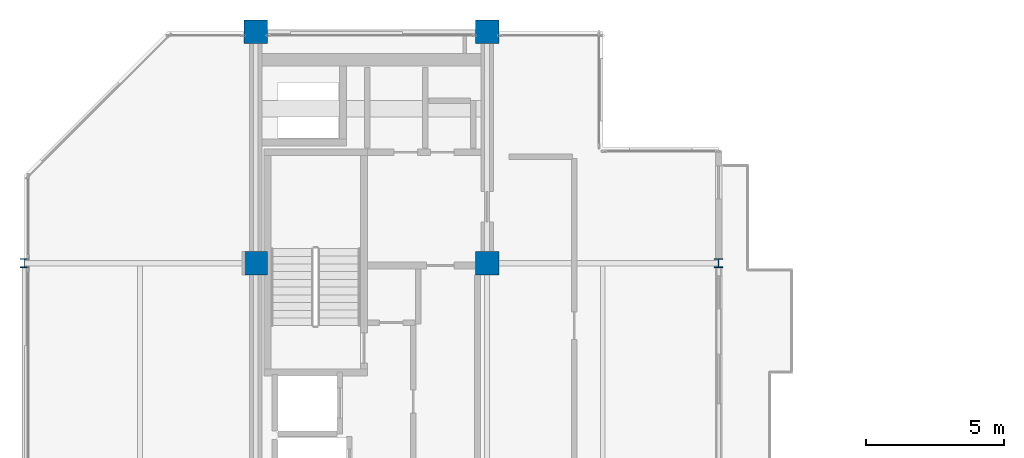
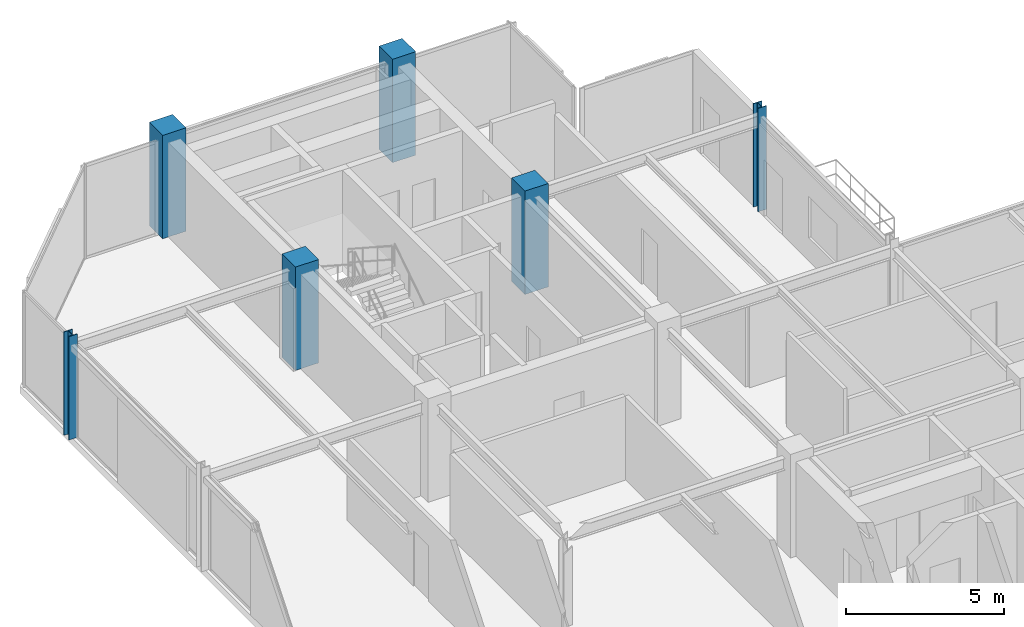
# One storey, part 2 of 26: 6 columns.
"""IFC4 building model written with IfcOpenShell, lengths in metres."""

from ifc_helpers import new_model, si_unit, direction, frame, origin, origin_2d, place, context, subcontext, project, spatial, rectangle, i_section, extrude, material, material_profile, profile_set, type_object, element, save


model = new_model("IFC4")

# Units and contexts
model_context = context("Model", 3, precision=1e-05, world=origin(), true_north=direction((0.0, 1.0)))
body_context = subcontext(model_context, "Body", "Model", "MODEL_VIEW")
ifc_project = project(units=[si_unit("LENGTHUNIT", "METRE"), si_unit("AREAUNIT", "SQUARE_METRE"), si_unit("VOLUMEUNIT", "CUBIC_METRE"), si_unit("PLANEANGLEUNIT", "RADIAN"), si_unit("MASSUNIT", "GRAM", prefix="KILO")], contexts=[model_context])

# Site, building, storey
site_placement = place(None, origin())
site = spatial("IfcSite", under=ifc_project, at=site_placement, CompositionType="ELEMENT")
building_placement = place(site_placement, origin())
building = spatial("IfcBuilding", under=site, at=building_placement, Name="Nerrivon Quay Data Exchange", CompositionType="ELEMENT")
storey_placement = place(building_placement, frame((0.0, 0.0, 282.199951171875)))
storey = spatial("IfcBuildingStorey", under=building, at=storey_placement, Name="L67", CompositionType="ELEMENT", Elevation=282.199951171875)

# Columns
ifc_material_1 = material(Name="Concrete N50 (50 MPa)", Category="concrete")
ifc_material_profile_1 = material_profile(ifc_material_1, rectangle(XDim=0.85009765625, YDim=0.85009765625, at=origin_2d()), Name="RC-COL-850x850")
ifc_profile_set_1 = profile_set([ifc_material_profile_1], Name="Concrete N50 (50 MPa)")
column_type_1 = type_object("IfcColumnType", Name="COL-C5-850", PredefinedType="COLUMN", material=ifc_profile_set_1)
for number, where, z_axis, x_axis, name in (
    (1, (8.39990234375, 33.60009765625, 0.0), (0.0, 0.0, 1.0), (1.0, 0.0, 0.0), "L67 Column (8.4,33.6)"),
    (2, (8.39990234375, 42.0, 0.0), (0.0, 0.0, 1.0), (1.0, 0.0, 0.0), "L67 Column (8.4,42.0)"),
    (3, (16.800048828125, 33.60009765625, 0.0), (0.0, 0.0, 1.0), (1.0, 0.0, 0.0), "L67 Column (16.8,33.6)"),
    (4, (16.800048828125, 42.0, 0.0), (0.0, 0.0, 1.0), (1.0, 0.0, 0.0), "L67 Column (16.8,42.0)"),
):
    element("IfcColumn", number, at=place(storey_placement, frame(where, z_axis=z_axis, x_axis=x_axis)), inside=storey, type_object=column_type_1, Name=name, PredefinedType="COLUMN", context=body_context, shape_type="SweptSolid", body=[
        extrude(rectangle(XDim=0.85009765625, YDim=0.85009765625, at=origin_2d()), origin(), (0.0, 0.0, 1.0), 4.0),
    ])
ifc_material_2 = material(Name="Steel Grade 350", Category="steel")
ifc_material_profile_2 = material_profile(ifc_material_2, i_section(OverallWidth=0.31103515625, OverallDepth=0.326904296875, WebThickness=0.015625, FlangeThickness=0.02490234375, FilletRadius=0.0166015625, at=origin_2d()), Name="310UC158")
ifc_profile_set_2 = profile_set([ifc_material_profile_2], Name="Steel Grade 350")
column_type_2 = type_object("IfcColumnType", Name="COL-SC4-310UC158", PredefinedType="COLUMN", material=ifc_profile_set_2)
for number, where, z_axis, x_axis, name in (
    (5, (0.0, 33.60009765625, 0.0), (0.0, 0.0, 1.0), (1.0, 0.0, 0.0), "L67 Column (0.0,33.6)"),
    (6, (25.199951171875, 33.60009765625, 0.0), (0.0, 0.0, 1.0), (1.0, 0.0, 0.0), "L67 Column (25.2,33.6)"),
):
    element("IfcColumn", number, at=place(storey_placement, frame(where, z_axis=z_axis, x_axis=x_axis)), inside=storey, type_object=column_type_2, Name=name, PredefinedType="COLUMN", context=body_context, shape_type="SweptSolid", body=[
        extrude(i_section(OverallWidth=0.31103515625, OverallDepth=0.326904296875, WebThickness=0.015625, FlangeThickness=0.02490234375, FilletRadius=0.0166015625, at=origin_2d()), origin(), (0.0, 0.0, 1.0), 4.0),
    ])

save(model, "model.ifc")
